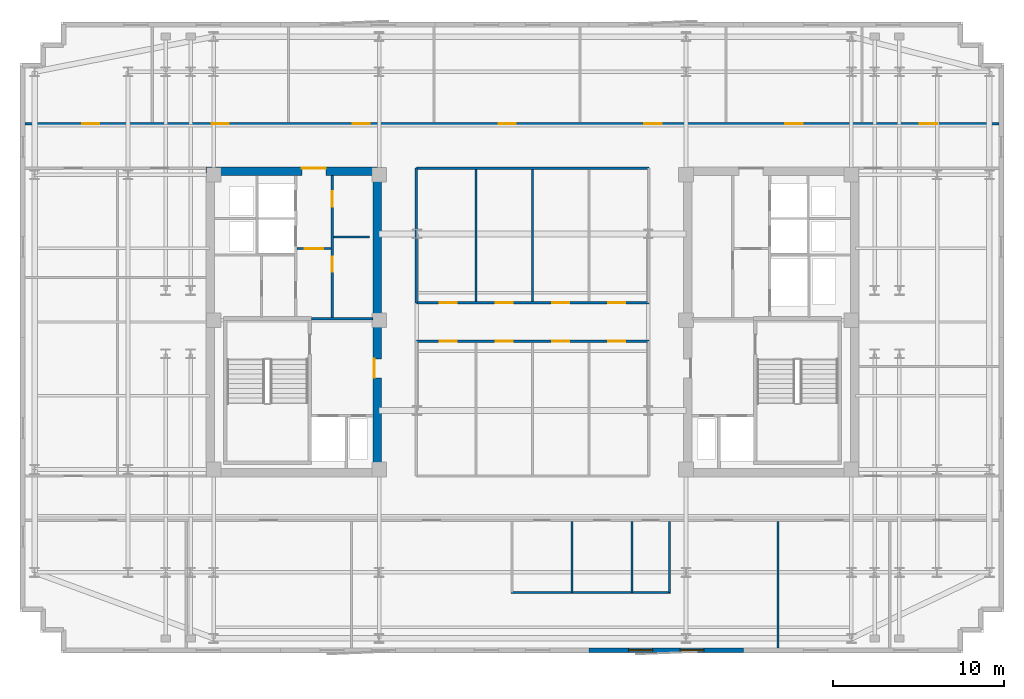
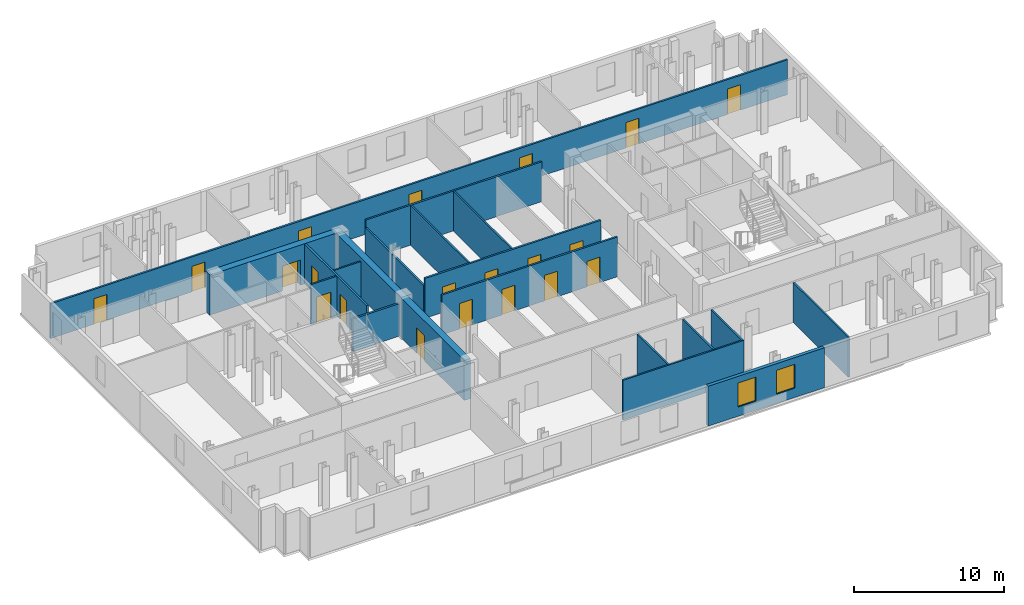
# One storey, part 5 of 9: 20 doors, 19 walls, 2 windows, 22 openings.
"""IFC4 building model written with IfcOpenShell, lengths in metres."""

from ifc_helpers import new_model, si_unit, direction, frame, frame_2d, origin, place, context, subcontext, project, spatial, rectangle, extrude, material, layer, layer_set, type_object, element, fill, save


model = new_model("IFC4")

# Units and contexts
model_context = context("Model", 3, precision=1e-05, world=origin(), true_north=direction((0.0, 1.0)))
body_context = subcontext(model_context, "Body", "Model", "MODEL_VIEW")
ifc_project = project(units=[si_unit("LENGTHUNIT", "METRE"), si_unit("AREAUNIT", "SQUARE_METRE"), si_unit("VOLUMEUNIT", "CUBIC_METRE"), si_unit("PLANEANGLEUNIT", "RADIAN"), si_unit("MASSUNIT", "GRAM", prefix="KILO")], contexts=[model_context])

# Site, building, storey
site_placement = place(None, origin())
site = spatial("IfcSite", under=ifc_project, at=site_placement, CompositionType="ELEMENT")
building_placement = place(site_placement, origin())
building = spatial("IfcBuilding", under=site, at=building_placement, Name="Velakula Bourse", CompositionType="ELEMENT")
storey_placement = place(building_placement, frame((0.0, 0.0, 236.10009765625)))
storey = spatial("IfcBuildingStorey", under=building, at=storey_placement, Name="L64", CompositionType="ELEMENT", Elevation=236.10009765625)

# Wall, opening, door
ifc_material_1 = material(Name="Concrete M50 (fck 50 MPa)", Category="concrete")
ifc_layer_1 = layer(ifc_material_1, 0.5, Name="Concrete M50 (fck 50 MPa)", Category="concrete")
ifc_layer_set_1 = layer_set([ifc_layer_1], Name="Concrete M50 (fck 50 MPa)")
wall_type_1 = type_object("IfcWallType", Name="WL-CORE-500", PredefinedType="SHEAR", material=ifc_layer_set_1)
wall_1_placement = place(storey_placement, frame((-19.050048828125, 8.800048828125, 0.0), z_axis=(0.0, 0.0, 1.0), x_axis=(1.0, 0.0, 0.0)))
wall_1 = element("IfcWall", 1, at=wall_1_placement, inside=storey, type_object=wall_type_1, Name="L64 Core W Shear Wall N", PredefinedType="SHEAR", context=body_context, shape_type="SweptSolid", body=[
    extrude(rectangle(XDim=10.25, YDim=0.5, at=frame_2d((5.125, 0.0))), origin(), (0.0, 0.0, 1.0), 3.27001953125),
])
opening_1_placement = place(wall_1_placement, frame((5.60009765625, 0.0, 0.0)))
opening_1 = element("IfcOpeningElement", 2, at=opening_1_placement, cuts=wall_1, Name="Opening D-LLW", PredefinedType="OPENING", context=body_context, shape_type="SweptSolid", body=[
    extrude(rectangle(XDim=1.39990234375, YDim=2.050048828125, at=frame_2d((0.699951171875, 1.02490234375))), frame((0.0, 0.260009765625, 0.0), z_axis=(0.0, -1.0, 0.0), x_axis=(1.0, 0.0, 0.0)), (0.0, 0.0, 1.0), 0.52001953125),
])
ifc_material_2 = material(Name="Fire-rated hardwood flush architectural door", Category="wood")
door_type_1 = type_object("IfcDoorType", Name="DR-DBL-FD60-1400", OperationType="DOUBLE_DOOR_SINGLE_SWING", PredefinedType="DOOR", material=ifc_material_2)
door_1_placement = place(opening_1_placement, origin())
door_1 = element("IfcDoor", 3, at=door_1_placement, inside=storey, type_object=door_type_1, Name="L64 Core W Lift Lobby Corridor Double Door", OperationType="DOUBLE_DOOR_SINGLE_SWING", OverallHeight=2.050048828125, OverallWidth=1.39990234375, PredefinedType="DOOR", context=body_context, shape_type="SweptSolid", body=[
    extrude(rectangle(XDim=1.39990234375, YDim=2.050048828125, at=frame_2d((0.699951171875, 1.02490234375))), frame((0.0, 0.19482421875, 0.0), z_axis=(0.0, -1.0, 0.0), x_axis=(1.0, 0.0, 0.0)), (0.0, 0.0, 1.0), 0.050048828125),
])
fill(opening_1, door_1)

wall_2_placement = place(storey_placement, frame((-9.050048828125, -8.550048828125, 0.0), z_axis=(0.0, 0.0, 1.0), x_axis=(0.0, 1.0, 0.0)))
wall_2 = element("IfcWall", 4, at=wall_2_placement, inside=storey, type_object=wall_type_1, Name="L64 Core W Shear Wall E", PredefinedType="SHEAR", context=body_context, shape_type="SweptSolid", body=[
    extrude(rectangle(XDim=17.10009765625, YDim=0.5, at=frame_2d((8.550048828125, 0.0))), origin(), (0.0, 0.0, 1.0), 3.27001953125),
])
opening_2_placement = place(wall_2_placement, frame((5.300048828125, 0.0, 0.0)))
opening_2 = element("IfcOpeningElement", 5, at=opening_2_placement, cuts=wall_2, Name="Opening D-FLW", PredefinedType="OPENING", context=body_context, shape_type="SweptSolid", body=[
    extrude(rectangle(XDim=1.10009765625, YDim=2.080078125, at=frame_2d((0.550048828125, 1.0400390625))), frame((0.0, 0.260009765625, 0.0), z_axis=(0.0, -1.0, 0.0), x_axis=(1.0, 0.0, 0.0)), (0.0, 0.0, 1.0), 0.52001953125),
])
ifc_material_3 = material(Name="Galvanised painted hollow steel fire door", Category="steel")
door_type_2 = type_object("IfcDoorType", Name="DR-FD120-1100", OperationType="NOTDEFINED", PredefinedType="DOOR", material=ifc_material_3)
door_2_placement = place(opening_2_placement, origin())
door_2 = element("IfcDoor", 6, at=door_2_placement, inside=storey, type_object=door_type_2, Name="L64 Firefighting Lobby W Corridor Fire Door", OperationType="SINGLE_SWING_LEFT", OverallHeight=2.080078125, OverallWidth=1.10009765625, PredefinedType="DOOR", context=body_context, shape_type="SweptSolid", body=[
    extrude(rectangle(XDim=1.10009765625, YDim=2.080078125, at=frame_2d((0.550048828125, 1.0400390625))), frame((0.0, 0.205078125, 0.0), z_axis=(0.0, -1.0, 0.0), x_axis=(1.0, 0.0, 0.0)), (0.0, 0.0, 1.0), 0.050048828125),
])
fill(opening_2, door_2)

# Wall, openings, windows
ifc_material_4 = material(Name="Buff kilned clay facing brick masonry", Category="masonry")
ifc_layer_2 = layer(ifc_material_4, 0.260009765625, Name="Buff kilned clay facing brick masonry", Category="masonry")
ifc_layer_set_2 = layer_set([ifc_layer_2], Name="Buff kilned clay facing brick masonry")
wall_type_2 = type_object("IfcWallType", Name="WL-EXT-BRK-260", PredefinedType="STANDARD", material=ifc_layer_set_2)
wall_3_placement = place(storey_placement, frame((12.300048828125, -19.14990234375, 0.0), z_axis=(0.0, 0.0, 1.0), x_axis=(-1.0, 0.0, 0.0)))
wall_3 = element("IfcWall", 7, at=wall_3_placement, inside=storey, type_object=wall_type_2, Name="L64 S Brick Spandrel Wall B4", PredefinedType="STANDARD", context=body_context, shape_type="SweptSolid", body=[
    extrude(rectangle(XDim=9.0, YDim=0.260009765625, at=frame_2d((4.5, 0.0))), origin(), (0.0, 0.0, 1.0), 3.25),
])
opening_3_placement = place(wall_3_placement, frame((2.300048828125, 0.0, 0.760009765625)))
opening_3 = element("IfcOpeningElement", 8, at=opening_3_placement, cuts=wall_3, Name="Opening W-03", PredefinedType="OPENING", context=body_context, shape_type="SweptSolid", body=[
    extrude(rectangle(XDim=1.39990234375, YDim=1.949951171875, at=frame_2d((0.699951171875, 0.97509765625))), frame((0.0, 0.139892578125, 0.0), z_axis=(0.0, -1.0, 0.0), x_axis=(1.0, 0.0, 0.0)), (0.0, 0.0, 1.0), 0.280029296875),
])
opening_4_placement = place(wall_3_placement, frame((5.300048828125, 0.0, 0.760009765625)))
opening_4 = element("IfcOpeningElement", 9, at=opening_4_placement, cuts=wall_3, Name="Opening W-03", PredefinedType="OPENING", context=body_context, shape_type="SweptSolid", body=[
    extrude(rectangle(XDim=1.39990234375, YDim=1.949951171875, at=frame_2d((0.699951171875, 0.97509765625))), frame((0.0, 0.139892578125, 0.0), z_axis=(0.0, -1.0, 0.0), x_axis=(1.0, 0.0, 0.0)), (0.0, 0.0, 1.0), 0.280029296875),
])
ifc_material_5 = material(Name="Double-glazed solar-control Low-E glass", Category="glass")
window_type = type_object("IfcWindowType", Name="WIN-TWR-1400x2100", PartitioningType="SINGLE_PANEL", PredefinedType="WINDOW", material=ifc_material_5)
window_1_placement = place(opening_3_placement, origin())
window_1 = element("IfcWindow", 10, at=window_1_placement, inside=storey, type_object=window_type, Name="L64 Deep-Set Recessed Window 1", OverallHeight=1.949951171875, OverallWidth=1.39990234375, PartitioningType="SINGLE_PANEL", PredefinedType="WINDOW", context=body_context, shape_type="SweptSolid", body=[
    extrude(rectangle(XDim=1.39990234375, YDim=1.949951171875, at=frame_2d((0.699951171875, 0.97509765625))), frame((0.0, 0.030029296875, 0.0), z_axis=(0.0, -1.0, 0.0), x_axis=(1.0, 0.0, 0.0)), (0.0, 0.0, 1.0), 0.06005859375),
])
fill(opening_3, window_1)
window_2_placement = place(opening_4_placement, origin())
window_2 = element("IfcWindow", 11, at=window_2_placement, inside=storey, type_object=window_type, Name="L64 Deep-Set Recessed Window 2", OverallHeight=1.949951171875, OverallWidth=1.39990234375, PartitioningType="SINGLE_PANEL", PredefinedType="WINDOW", context=body_context, shape_type="SweptSolid", body=[
    extrude(rectangle(XDim=1.39990234375, YDim=1.949951171875, at=frame_2d((0.699951171875, 0.97509765625))), frame((0.0, 0.030029296875, 0.0), z_axis=(0.0, -1.0, 0.0), x_axis=(1.0, 0.0, 0.0)), (0.0, 0.0, 1.0), 0.06005859375),
])
fill(opening_4, window_2)

# Wall, opening, door
ifc_material_6 = material(Name="Fire-rated double-layer gypsum drywall partition", Category="gypsum")
ifc_layer_3 = layer(ifc_material_6, 0.1201171875, Name="Fire-rated double-layer gypsum drywall partition", Category="gypsum")
ifc_layer_set_3 = layer_set([ifc_layer_3], Name="Fire-rated double-layer gypsum drywall partition")
wall_type_3 = type_object("IfcWallType", Name="WL-PART-120", PredefinedType="STANDARD", material=ifc_layer_set_3)
wall_4_placement = place(storey_placement, frame((-13.75, 4.280029296875, 0.0), z_axis=(0.0, 0.0, 1.0), x_axis=(1.0, 0.0, 0.0)))
wall_4 = element("IfcWall", 12, at=wall_4_placement, inside=storey, type_object=wall_type_3, Name="L64 Interior Partition WL-CRW-L64-LL-K2", PredefinedType="STANDARD", context=body_context, shape_type="SweptSolid", body=[
    extrude(rectangle(XDim=2.0, YDim=0.1201171875, at=frame_2d((1.0, 0.0))), origin(), (0.0, 0.0, 1.0), 3.25),
])
opening_5_placement = place(wall_4_placement, frame((0.449951171875, 0.0, 0.0)))
opening_5 = element("IfcOpeningElement", 13, at=opening_5_placement, cuts=wall_4, Name="Opening D-LK2", PredefinedType="OPENING", context=body_context, shape_type="SweptSolid", body=[
    extrude(rectangle(XDim=1.10009765625, YDim=2.10009765625, at=frame_2d((0.550048828125, 1.050048828125))), frame((0.0, 0.070068359375, 0.0), z_axis=(0.0, -1.0, 0.0), x_axis=(1.0, 0.0, 0.0)), (0.0, 0.0, 1.0), 0.14013671875),
])
door_type_3 = type_object("IfcDoorType", Name="DR-FD60-1100x2100", OperationType="NOTDEFINED", PredefinedType="DOOR", material=ifc_material_2)
door_3_placement = place(opening_5_placement, origin())
door_3 = element("IfcDoor", 14, at=door_3_placement, inside=storey, type_object=door_type_3, Name="L64 Core W Lift Lobby Zone Door", OperationType="SINGLE_SWING_RIGHT", OverallHeight=2.10009765625, OverallWidth=1.10009765625, PredefinedType="DOOR", context=body_context, shape_type="SweptSolid", body=[
    extrude(rectangle(XDim=1.10009765625, YDim=2.10009765625, at=frame_2d((0.550048828125, 1.050048828125))), frame((0.0, 0.02490234375, 0.0), z_axis=(0.0, -1.0, 0.0), x_axis=(1.0, 0.0, 0.0)), (0.0, 0.0, 1.0), 0.050048828125),
])
fill(opening_5, door_3)

# Walls
wall_5_placement = place(storey_placement, frame((-11.60009765625, 4.949951171875, 0.0), z_axis=(0.0, 0.0, 1.0), x_axis=(1.0, 0.0, 0.0)))
element("IfcWall", 15, at=wall_5_placement, inside=storey, type_object=wall_type_3, Name="L64 Interior Partition WL-CRW-L64-RCDIV", PredefinedType="STANDARD", context=body_context, shape_type="SweptSolid", body=[
    extrude(rectangle(XDim=2.10009765625, YDim=0.1201171875, at=frame_2d((1.050048828125, 0.0))), origin(), (0.0, 0.0, 1.0), 3.25),
])
wall_6_placement = place(storey_placement, frame((-1.260009765625, -15.77001953125, 0.0), z_axis=(0.0, 0.0, 1.0), x_axis=(1.0, 0.0, 0.0)))
element("IfcWall", 16, at=wall_6_placement, inside=storey, type_object=wall_type_3, Name="L64 Interior Partition WL-WC-L64-BACK", PredefinedType="STANDARD", context=body_context, shape_type="SweptSolid", body=[
    extrude(rectangle(XDim=9.320068359375, YDim=0.1201171875, at=frame_2d((4.66015625, 0.0))), origin(), (0.0, 0.0, 1.0), 3.25),
])
for number, where, z_axis, x_axis, name in (
    (17, (2.300048828125, -15.77001953125, 0.0), (0.0, 0.0, 1.0), (0.0, 1.0, 0.0), "L64 Interior Partition WL-WC-L64-V2"),
    (18, (5.800048828125, -15.77001953125, 0.0), (0.0, 0.0, 1.0), (0.0, 1.0, 0.0), "L64 Interior Partition WL-WC-L64-V3"),
    (19, (8.0, -15.77001953125, 0.0), (0.0, 0.0, 1.0), (0.0, 1.0, 0.0), "L64 Interior Partition WL-WC-L64-V4"),
):
    element("IfcWall", number, at=place(storey_placement, frame(where, z_axis=z_axis, x_axis=x_axis)), inside=storey, type_object=wall_type_3, Name=name, PredefinedType="STANDARD", context=body_context, shape_type="SweptSolid", body=[
        extrude(rectangle(XDim=4.130126953125, YDim=0.1201171875, at=frame_2d((2.06494140625, 0.0))), origin(), (0.0, 0.0, 1.0), 3.25),
    ])
wall_7_placement = place(storey_placement, frame((14.322998046875, -19.02001953125, 0.0), z_axis=(0.0, 0.0, 1.0), x_axis=(0.0, 1.0, 0.0)))
element("IfcWall", 20, at=wall_7_placement, inside=storey, type_object=wall_type_3, Name="L64 Interior Partition WL-INT-L64-SR-D7", PredefinedType="STANDARD", context=body_context, shape_type="SweptSolid", body=[
    extrude(rectangle(XDim=7.380126953125, YDim=0.1201171875, at=frame_2d((3.68994140625, 0.0))), origin(), (0.0, 0.0, 1.0), 3.25),
])

# Wall, openings, doors
ifc_layer_4 = layer(ifc_material_6, 0.139892578125, Name="Fire-rated double-layer gypsum drywall partition", Category="gypsum")
ifc_layer_set_4 = layer_set([ifc_layer_4], Name="Fire-rated double-layer gypsum drywall partition")
wall_type_4 = type_object("IfcWallType", Name="WL-PART-140", PredefinedType="STANDARD", material=ifc_layer_set_4)
wall_8_placement = place(storey_placement, frame((-29.6201171875, 11.570068359375, 0.0), z_axis=(0.0, 0.0, 1.0), x_axis=(1.0, 0.0, 0.0)))
wall_8 = element("IfcWall", 21, at=wall_8_placement, inside=storey, type_object=wall_type_4, Name="L64 Interior Partition WL-INT-L64-N-CORR", PredefinedType="STANDARD", context=body_context, shape_type="SweptSolid", body=[
    extrude(rectangle(XDim=56.840087890625, YDim=0.139892578125, at=frame_2d((28.419921875, 0.0))), origin(), (0.0, 0.0, 1.0), 2.844970703125),
])
opening_6_placement = place(wall_8_placement, frame((3.343017578125, 0.0, 0.0)))
opening_6 = element("IfcOpeningElement", 22, at=opening_6_placement, cuts=wall_8, Name="Opening D-OF1", PredefinedType="OPENING", context=body_context, shape_type="SweptSolid", body=[
    extrude(rectangle(XDim=1.0, YDim=2.080078125, at=frame_2d((0.5, 1.0400390625))), frame((0.0, 0.079833984375, 0.0), z_axis=(0.0, -1.0, 0.0), x_axis=(1.0, 0.0, 0.0)), (0.0, 0.0, 1.0), 0.159912109375),
])
opening_7_placement = place(wall_8_placement, frame((10.904052734375, 0.0, 0.0)))
opening_7 = element("IfcOpeningElement", 23, at=opening_7_placement, cuts=wall_8, Name="Opening D-OF1", PredefinedType="OPENING", context=body_context, shape_type="SweptSolid", body=[
    extrude(rectangle(XDim=1.0, YDim=2.080078125, at=frame_2d((0.5, 1.0400390625))), frame((0.0, 0.079833984375, 0.0), z_axis=(0.0, -1.0, 0.0), x_axis=(1.0, 0.0, 0.0)), (0.0, 0.0, 1.0), 0.159912109375),
])
opening_8_placement = place(wall_8_placement, frame((19.1279296875, 0.0, 0.0)))
opening_8 = element("IfcOpeningElement", 24, at=opening_8_placement, cuts=wall_8, Name="Opening D-OF1", PredefinedType="OPENING", context=body_context, shape_type="SweptSolid", body=[
    extrude(rectangle(XDim=1.0, YDim=2.080078125, at=frame_2d((0.5, 1.0400390625))), frame((0.0, 0.079833984375, 0.0), z_axis=(0.0, -1.0, 0.0), x_axis=(1.0, 0.0, 0.0)), (0.0, 0.0, 1.0), 0.159912109375),
])
opening_9_placement = place(wall_8_placement, frame((27.635986328125, 0.0, 0.0)))
opening_9 = element("IfcOpeningElement", 25, at=opening_9_placement, cuts=wall_8, Name="Opening D-OF1", PredefinedType="OPENING", context=body_context, shape_type="SweptSolid", body=[
    extrude(rectangle(XDim=1.0, YDim=2.080078125, at=frame_2d((0.5, 1.0400390625))), frame((0.0, 0.079833984375, 0.0), z_axis=(0.0, -1.0, 0.0), x_axis=(1.0, 0.0, 0.0)), (0.0, 0.0, 1.0), 0.159912109375),
])
opening_10_placement = place(wall_8_placement, frame((36.14404296875, 0.0, 0.0)))
opening_10 = element("IfcOpeningElement", 26, at=opening_10_placement, cuts=wall_8, Name="Opening D-OF1", PredefinedType="OPENING", context=body_context, shape_type="SweptSolid", body=[
    extrude(rectangle(XDim=1.0, YDim=2.080078125, at=frame_2d((0.5, 1.0400390625))), frame((0.0, 0.079833984375, 0.0), z_axis=(0.0, -1.0, 0.0), x_axis=(1.0, 0.0, 0.0)), (0.0, 0.0, 1.0), 0.159912109375),
])
opening_11_placement = place(wall_8_placement, frame((44.368408203125, 0.0, 0.0)))
opening_11 = element("IfcOpeningElement", 27, at=opening_11_placement, cuts=wall_8, Name="Opening D-OF1", PredefinedType="OPENING", context=body_context, shape_type="SweptSolid", body=[
    extrude(rectangle(XDim=1.0, YDim=2.080078125, at=frame_2d((0.5, 1.0400390625))), frame((0.0, 0.079833984375, 0.0), z_axis=(0.0, -1.0, 0.0), x_axis=(1.0, 0.0, 0.0)), (0.0, 0.0, 1.0), 0.159912109375),
])
opening_12_placement = place(wall_8_placement, frame((52.21337890625, 0.0, 0.0)))
opening_12 = element("IfcOpeningElement", 28, at=opening_12_placement, cuts=wall_8, Name="Opening D-OF1", PredefinedType="OPENING", context=body_context, shape_type="SweptSolid", body=[
    extrude(rectangle(XDim=1.0, YDim=2.080078125, at=frame_2d((0.5, 1.0400390625))), frame((0.0, 0.079833984375, 0.0), z_axis=(0.0, -1.0, 0.0), x_axis=(1.0, 0.0, 0.0)), (0.0, 0.0, 1.0), 0.159912109375),
])
door_type_4 = type_object("IfcDoorType", Name="DR-OFF-1000", OperationType="NOTDEFINED", PredefinedType="DOOR", material=ifc_material_2)
door_4_placement = place(opening_6_placement, origin())
door_4 = element("IfcDoor", 29, at=door_4_placement, inside=storey, type_object=door_type_4, Name="L64 Market Data Feed Workspace Door", OperationType="SINGLE_SWING_LEFT", OverallHeight=2.080078125, OverallWidth=1.0, PredefinedType="DOOR", context=body_context, shape_type="SweptSolid", body=[
    extrude(rectangle(XDim=1.0, YDim=2.080078125, at=frame_2d((0.5, 1.0400390625))), frame((0.0, 0.02490234375, 0.0), z_axis=(0.0, -1.0, 0.0), x_axis=(1.0, 0.0, 0.0)), (0.0, 0.0, 1.0), 0.050048828125),
])
fill(opening_6, door_4)
door_5_placement = place(opening_7_placement, origin())
door_5 = element("IfcDoor", 30, at=door_5_placement, inside=storey, type_object=door_type_4, Name="L64 Executive Boardroom Door", OperationType="SINGLE_SWING_RIGHT", OverallHeight=2.080078125, OverallWidth=1.0, PredefinedType="DOOR", context=body_context, shape_type="SweptSolid", body=[
    extrude(rectangle(XDim=1.0, YDim=2.080078125, at=frame_2d((0.5, 1.0400390625))), frame((0.0, 0.02490234375, 0.0), z_axis=(0.0, -1.0, 0.0), x_axis=(1.0, 0.0, 0.0)), (0.0, 0.0, 1.0), 0.050048828125),
])
fill(opening_7, door_5)
door_6_placement = place(opening_8_placement, origin())
door_6 = element("IfcDoor", 31, at=door_6_placement, inside=storey, type_object=door_type_4, Name="L64 Catering Servery Pantry Door", OperationType="SINGLE_SWING_LEFT", OverallHeight=2.080078125, OverallWidth=1.0, PredefinedType="DOOR", context=body_context, shape_type="SweptSolid", body=[
    extrude(rectangle(XDim=1.0, YDim=2.080078125, at=frame_2d((0.5, 1.0400390625))), frame((0.0, 0.02490234375, 0.0), z_axis=(0.0, -1.0, 0.0), x_axis=(1.0, 0.0, 0.0)), (0.0, 0.0, 1.0), 0.050048828125),
])
fill(opening_8, door_6)
door_7_placement = place(opening_9_placement, origin())
door_7 = element("IfcDoor", 32, at=door_7_placement, inside=storey, type_object=door_type_4, Name="L64 Members Dining Lounge Door", OperationType="SINGLE_SWING_RIGHT", OverallHeight=2.080078125, OverallWidth=1.0, PredefinedType="DOOR", context=body_context, shape_type="SweptSolid", body=[
    extrude(rectangle(XDim=1.0, YDim=2.080078125, at=frame_2d((0.5, 1.0400390625))), frame((0.0, 0.02490234375, 0.0), z_axis=(0.0, -1.0, 0.0), x_axis=(1.0, 0.0, 0.0)), (0.0, 0.0, 1.0), 0.050048828125),
])
fill(opening_9, door_7)
door_8_placement = place(opening_10_placement, origin())
door_8 = element("IfcDoor", 33, at=door_8_placement, inside=storey, type_object=door_type_4, Name="L64 Bullion Assay Office Door", OperationType="SINGLE_SWING_LEFT", OverallHeight=2.080078125, OverallWidth=1.0, PredefinedType="DOOR", context=body_context, shape_type="SweptSolid", body=[
    extrude(rectangle(XDim=1.0, YDim=2.080078125, at=frame_2d((0.5, 1.0400390625))), frame((0.0, 0.02490234375, 0.0), z_axis=(0.0, -1.0, 0.0), x_axis=(1.0, 0.0, 0.0)), (0.0, 0.0, 1.0), 0.050048828125),
])
fill(opening_10, door_8)
door_9_placement = place(opening_11_placement, origin())
door_9 = element("IfcDoor", 34, at=door_9_placement, inside=storey, type_object=door_type_4, Name="L64 Market Data Feed Workspace Door", OperationType="SINGLE_SWING_RIGHT", OverallHeight=2.080078125, OverallWidth=1.0, PredefinedType="DOOR", context=body_context, shape_type="SweptSolid", body=[
    extrude(rectangle(XDim=1.0, YDim=2.080078125, at=frame_2d((0.5, 1.0400390625))), frame((0.0, 0.02490234375, 0.0), z_axis=(0.0, -1.0, 0.0), x_axis=(1.0, 0.0, 0.0)), (0.0, 0.0, 1.0), 0.050048828125),
])
fill(opening_11, door_9)
door_10_placement = place(opening_12_placement, origin())
door_10 = element("IfcDoor", 35, at=door_10_placement, inside=storey, type_object=door_type_4, Name="L64 Asset Allocation Office Door", OperationType="SINGLE_SWING_LEFT", OverallHeight=2.080078125, OverallWidth=1.0, PredefinedType="DOOR", context=body_context, shape_type="SweptSolid", body=[
    extrude(rectangle(XDim=1.0, YDim=2.080078125, at=frame_2d((0.5, 1.0400390625))), frame((0.0, 0.02490234375, 0.0), z_axis=(0.0, -1.0, 0.0), x_axis=(1.0, 0.0, 0.0)), (0.0, 0.0, 1.0), 0.050048828125),
])
fill(opening_12, door_10)

wall_9_placement = place(storey_placement, frame((-6.780029296875, 1.1201171875, 0.0), z_axis=(0.0, 0.0, 1.0), x_axis=(1.0, 0.0, 0.0)))
wall_9 = element("IfcWall", 36, at=wall_9_placement, inside=storey, type_object=wall_type_4, Name="L64 Interior Partition WL-INT-L64-MN-IN", PredefinedType="STANDARD", context=body_context, shape_type="SweptSolid", body=[
    extrude(rectangle(XDim=13.56005859375, YDim=0.139892578125, at=frame_2d((6.780029296875, 0.0))), origin(), (0.0, 0.0, 1.0), 3.25),
])
opening_13_placement = place(wall_9_placement, frame((1.365966796875, 0.0, 0.0)))
opening_13 = element("IfcOpeningElement", 37, at=opening_13_placement, cuts=wall_9, Name="Opening D-OF1", PredefinedType="OPENING", context=body_context, shape_type="SweptSolid", body=[
    extrude(rectangle(XDim=1.0, YDim=2.080078125, at=frame_2d((0.5, 1.0400390625))), frame((0.0, 0.079833984375, 0.0), z_axis=(0.0, -1.0, 0.0), x_axis=(1.0, 0.0, 0.0)), (0.0, 0.0, 1.0), 0.159912109375),
])
opening_14_placement = place(wall_9_placement, frame((4.6298828125, 0.0, 0.0)))
opening_14 = element("IfcOpeningElement", 38, at=opening_14_placement, cuts=wall_9, Name="Opening D-OF1", PredefinedType="OPENING", context=body_context, shape_type="SweptSolid", body=[
    extrude(rectangle(XDim=1.0, YDim=2.080078125, at=frame_2d((0.5, 1.0400390625))), frame((0.0, 0.079833984375, 0.0), z_axis=(0.0, -1.0, 0.0), x_axis=(1.0, 0.0, 0.0)), (0.0, 0.0, 1.0), 0.159912109375),
])
opening_15_placement = place(wall_9_placement, frame((7.929931640625, 0.0, 0.0)))
opening_15 = element("IfcOpeningElement", 39, at=opening_15_placement, cuts=wall_9, Name="Opening D-OF1", PredefinedType="OPENING", context=body_context, shape_type="SweptSolid", body=[
    extrude(rectangle(XDim=1.0, YDim=2.080078125, at=frame_2d((0.5, 1.0400390625))), frame((0.0, 0.079833984375, 0.0), z_axis=(0.0, -1.0, 0.0), x_axis=(1.0, 0.0, 0.0)), (0.0, 0.0, 1.0), 0.159912109375),
])
opening_16_placement = place(wall_9_placement, frame((11.194091796875, 0.0, 0.0)))
opening_16 = element("IfcOpeningElement", 40, at=opening_16_placement, cuts=wall_9, Name="Opening D-OF1", PredefinedType="OPENING", context=body_context, shape_type="SweptSolid", body=[
    extrude(rectangle(XDim=1.0, YDim=2.080078125, at=frame_2d((0.5, 1.0400390625))), frame((0.0, 0.079833984375, 0.0), z_axis=(0.0, -1.0, 0.0), x_axis=(1.0, 0.0, 0.0)), (0.0, 0.0, 1.0), 0.159912109375),
])
door_11_placement = place(opening_13_placement, origin())
door_11 = element("IfcDoor", 41, at=door_11_placement, inside=storey, type_object=door_type_4, Name="L64 Treasury Operations Office Door", OperationType="SINGLE_SWING_LEFT", OverallHeight=2.080078125, OverallWidth=1.0, PredefinedType="DOOR", context=body_context, shape_type="SweptSolid", body=[
    extrude(rectangle(XDim=1.0, YDim=2.080078125, at=frame_2d((0.5, 1.0400390625))), frame((0.0, 0.02490234375, 0.0), z_axis=(0.0, -1.0, 0.0), x_axis=(1.0, 0.0, 0.0)), (0.0, 0.0, 1.0), 0.050048828125),
])
fill(opening_13, door_11)
door_12_placement = place(opening_14_placement, origin())
door_12 = element("IfcDoor", 42, at=door_12_placement, inside=storey, type_object=door_type_4, Name="L64 Bullion Assay Office Door", OperationType="SINGLE_SWING_RIGHT", OverallHeight=2.080078125, OverallWidth=1.0, PredefinedType="DOOR", context=body_context, shape_type="SweptSolid", body=[
    extrude(rectangle(XDim=1.0, YDim=2.080078125, at=frame_2d((0.5, 1.0400390625))), frame((0.0, 0.02490234375, 0.0), z_axis=(0.0, -1.0, 0.0), x_axis=(1.0, 0.0, 0.0)), (0.0, 0.0, 1.0), 0.050048828125),
])
fill(opening_14, door_12)
door_13_placement = place(opening_15_placement, origin())
door_13 = element("IfcDoor", 43, at=door_13_placement, inside=storey, type_object=door_type_4, Name="L64 Legal Counsel Office Door", OperationType="SINGLE_SWING_LEFT", OverallHeight=2.080078125, OverallWidth=1.0, PredefinedType="DOOR", context=body_context, shape_type="SweptSolid", body=[
    extrude(rectangle(XDim=1.0, YDim=2.080078125, at=frame_2d((0.5, 1.0400390625))), frame((0.0, 0.02490234375, 0.0), z_axis=(0.0, -1.0, 0.0), x_axis=(1.0, 0.0, 0.0)), (0.0, 0.0, 1.0), 0.050048828125),
])
fill(opening_15, door_13)
door_14_placement = place(opening_16_placement, origin())
door_14 = element("IfcDoor", 44, at=door_14_placement, inside=storey, type_object=door_type_4, Name="L64 Issuer Relations Office Door", OperationType="SINGLE_SWING_RIGHT", OverallHeight=2.080078125, OverallWidth=1.0, PredefinedType="DOOR", context=body_context, shape_type="SweptSolid", body=[
    extrude(rectangle(XDim=1.0, YDim=2.080078125, at=frame_2d((0.5, 1.0400390625))), frame((0.0, 0.02490234375, 0.0), z_axis=(0.0, -1.0, 0.0), x_axis=(1.0, 0.0, 0.0)), (0.0, 0.0, 1.0), 0.050048828125),
])
fill(opening_16, door_14)

# Walls
wall_10_placement = place(storey_placement, frame((-6.780029296875, 8.97998046875, 0.0), z_axis=(0.0, 0.0, 1.0), x_axis=(1.0, 0.0, 0.0)))
element("IfcWall", 45, at=wall_10_placement, inside=storey, type_object=wall_type_4, Name="L64 Interior Partition WL-INT-L64-MN-OUT", PredefinedType="STANDARD", context=body_context, shape_type="SweptSolid", body=[
    extrude(rectangle(XDim=13.56005859375, YDim=0.139892578125, at=frame_2d((6.780029296875, 0.0))), origin(), (0.0, 0.0, 1.0), 3.25),
])
wall_11_placement = place(storey_placement, frame((-6.780029296875, 1.1201171875, 0.0), z_axis=(0.0, 0.0, 1.0), x_axis=(0.0, 1.0, 0.0)))
element("IfcWall", 46, at=wall_11_placement, inside=storey, type_object=wall_type_4, Name="L64 Interior Partition WL-INT-L64-MN-W", PredefinedType="STANDARD", context=body_context, shape_type="SweptSolid", body=[
    extrude(rectangle(XDim=7.85986328125, YDim=0.139892578125, at=frame_2d((3.929931640625, 0.0))), origin(), (0.0, 0.0, 1.0), 2.64501953125),
])
for number, where, z_axis, x_axis, name in (
    (47, (-3.300048828125, 1.18994140625, 0.0), (0.0, 0.0, 1.0), (0.0, 1.0, 0.0), "L64 Interior Partition WL-INT-L64-MN-V1"),
    (48, (0.0, 1.18994140625, 0.0), (0.0, 0.0, 1.0), (0.0, 1.0, 0.0), "L64 Interior Partition WL-INT-L64-MN-V2"),
):
    element("IfcWall", number, at=place(storey_placement, frame(where, z_axis=z_axis, x_axis=x_axis)), inside=storey, type_object=wall_type_4, Name=name, PredefinedType="STANDARD", context=body_context, shape_type="SweptSolid", body=[
        extrude(rectangle(XDim=7.719970703125, YDim=0.1201171875, at=frame_2d((3.85986328125, 0.0))), origin(), (0.0, 0.0, 1.0), 3.25),
    ])

# Wall, openings, doors
wall_12_placement = place(storey_placement, frame((-6.780029296875, -1.1201171875, 0.0), z_axis=(0.0, 0.0, 1.0), x_axis=(1.0, 0.0, 0.0)))
wall_12 = element("IfcWall", 49, at=wall_12_placement, inside=storey, type_object=wall_type_4, Name="L64 Interior Partition WL-INT-L64-MS-IN", PredefinedType="STANDARD", context=body_context, shape_type="SweptSolid", body=[
    extrude(rectangle(XDim=13.56005859375, YDim=0.139892578125, at=frame_2d((6.780029296875, 0.0))), origin(), (0.0, 0.0, 1.0), 3.25),
])
opening_17_placement = place(wall_12_placement, frame((1.365966796875, 0.0, 0.0)))
opening_17 = element("IfcOpeningElement", 50, at=opening_17_placement, cuts=wall_12, Name="Opening D-OF1", PredefinedType="OPENING", context=body_context, shape_type="SweptSolid", body=[
    extrude(rectangle(XDim=1.0, YDim=2.080078125, at=frame_2d((0.5, 1.0400390625))), frame((0.0, 0.079833984375, 0.0), z_axis=(0.0, -1.0, 0.0), x_axis=(1.0, 0.0, 0.0)), (0.0, 0.0, 1.0), 0.159912109375),
])
opening_18_placement = place(wall_12_placement, frame((4.6298828125, 0.0, 0.0)))
opening_18 = element("IfcOpeningElement", 51, at=opening_18_placement, cuts=wall_12, Name="Opening D-OF1", PredefinedType="OPENING", context=body_context, shape_type="SweptSolid", body=[
    extrude(rectangle(XDim=1.0, YDim=2.080078125, at=frame_2d((0.5, 1.0400390625))), frame((0.0, 0.079833984375, 0.0), z_axis=(0.0, -1.0, 0.0), x_axis=(1.0, 0.0, 0.0)), (0.0, 0.0, 1.0), 0.159912109375),
])
opening_19_placement = place(wall_12_placement, frame((7.929931640625, 0.0, 0.0)))
opening_19 = element("IfcOpeningElement", 52, at=opening_19_placement, cuts=wall_12, Name="Opening D-OF1", PredefinedType="OPENING", context=body_context, shape_type="SweptSolid", body=[
    extrude(rectangle(XDim=1.0, YDim=2.080078125, at=frame_2d((0.5, 1.0400390625))), frame((0.0, 0.079833984375, 0.0), z_axis=(0.0, -1.0, 0.0), x_axis=(1.0, 0.0, 0.0)), (0.0, 0.0, 1.0), 0.159912109375),
])
opening_20_placement = place(wall_12_placement, frame((11.194091796875, 0.0, 0.0)))
opening_20 = element("IfcOpeningElement", 53, at=opening_20_placement, cuts=wall_12, Name="Opening D-OF1", PredefinedType="OPENING", context=body_context, shape_type="SweptSolid", body=[
    extrude(rectangle(XDim=1.0, YDim=2.080078125, at=frame_2d((0.5, 1.0400390625))), frame((0.0, 0.079833984375, 0.0), z_axis=(0.0, -1.0, 0.0), x_axis=(1.0, 0.0, 0.0)), (0.0, 0.0, 1.0), 0.159912109375),
])
door_15_placement = place(opening_17_placement, origin())
door_15 = element("IfcDoor", 54, at=door_15_placement, inside=storey, type_object=door_type_4, Name="L64 Issuer Relations Office Door", OperationType="SINGLE_SWING_LEFT", OverallHeight=2.080078125, OverallWidth=1.0, PredefinedType="DOOR", context=body_context, shape_type="SweptSolid", body=[
    extrude(rectangle(XDim=1.0, YDim=2.080078125, at=frame_2d((0.5, 1.0400390625))), frame((0.0, 0.02490234375, 0.0), z_axis=(0.0, -1.0, 0.0), x_axis=(1.0, 0.0, 0.0)), (0.0, 0.0, 1.0), 0.050048828125),
])
fill(opening_17, door_15)
door_16_placement = place(opening_18_placement, origin())
door_16 = element("IfcDoor", 55, at=door_16_placement, inside=storey, type_object=door_type_4, Name="L64 Asset Allocation Office Door", OperationType="SINGLE_SWING_RIGHT", OverallHeight=2.080078125, OverallWidth=1.0, PredefinedType="DOOR", context=body_context, shape_type="SweptSolid", body=[
    extrude(rectangle(XDim=1.0, YDim=2.080078125, at=frame_2d((0.5, 1.0400390625))), frame((0.0, 0.02490234375, 0.0), z_axis=(0.0, -1.0, 0.0), x_axis=(1.0, 0.0, 0.0)), (0.0, 0.0, 1.0), 0.050048828125),
])
fill(opening_18, door_16)
door_17_placement = place(opening_19_placement, origin())
door_17 = element("IfcDoor", 56, at=door_17_placement, inside=storey, type_object=door_type_4, Name="L64 Chief Risk Officer Chamber Door", OperationType="SINGLE_SWING_LEFT", OverallHeight=2.080078125, OverallWidth=1.0, PredefinedType="DOOR", context=body_context, shape_type="SweptSolid", body=[
    extrude(rectangle(XDim=1.0, YDim=2.080078125, at=frame_2d((0.5, 1.0400390625))), frame((0.0, 0.02490234375, 0.0), z_axis=(0.0, -1.0, 0.0), x_axis=(1.0, 0.0, 0.0)), (0.0, 0.0, 1.0), 0.050048828125),
])
fill(opening_19, door_17)
door_18_placement = place(opening_20_placement, origin())
door_18 = element("IfcDoor", 57, at=door_18_placement, inside=storey, type_object=door_type_4, Name="L64 Company Secretary Office Door", OperationType="SINGLE_SWING_RIGHT", OverallHeight=2.080078125, OverallWidth=1.0, PredefinedType="DOOR", context=body_context, shape_type="SweptSolid", body=[
    extrude(rectangle(XDim=1.0, YDim=2.080078125, at=frame_2d((0.5, 1.0400390625))), frame((0.0, 0.02490234375, 0.0), z_axis=(0.0, -1.0, 0.0), x_axis=(1.0, 0.0, 0.0)), (0.0, 0.0, 1.0), 0.050048828125),
])
fill(opening_20, door_18)

# Wall
ifc_material_7 = material(Name="Autoclaved aerated concrete blockwork masonry", Category="masonry")
ifc_layer_5 = layer(ifc_material_7, 0.14990234375, Name="Autoclaved aerated concrete blockwork masonry", Category="masonry")
ifc_layer_set_5 = layer_set([ifc_layer_5], Name="Autoclaved aerated concrete blockwork masonry")
wall_type_5 = type_object("IfcWallType", Name="WL-SHAFT-150", PredefinedType="STANDARD", material=ifc_layer_set_5)
wall_13_placement = place(storey_placement, frame((-12.889892578125, 0.18994140625, 0.0), z_axis=(0.0, 0.0, 1.0), x_axis=(1.0, 0.0, 0.0)))
element("IfcWall", 58, at=wall_13_placement, inside=storey, type_object=wall_type_5, Name="L64 Interior Partition WL-CRW-L64-FF-TOP", PredefinedType="STANDARD", context=body_context, shape_type="SweptSolid", body=[
    extrude(rectangle(XDim=3.58984375, YDim=0.14990234375, at=frame_2d((1.794921875, 0.0))), origin(), (0.0, 0.0, 1.0), 2.64501953125),
])

# Wall, openings, doors
wall_14_placement = place(storey_placement, frame((-11.675048828125, 0.27001953125, 0.0), z_axis=(0.0, 0.0, 1.0), x_axis=(0.0, 1.0, 0.0)))
wall_14 = element("IfcWall", 59, at=wall_14_placement, inside=storey, type_object=wall_type_5, Name="L64 Interior Partition WL-CRW-L64-BANK-F", PredefinedType="STANDARD", context=body_context, shape_type="SweptSolid", body=[
    extrude(rectangle(XDim=8.280029296875, YDim=0.14990234375, at=frame_2d((4.14013671875, 0.0))), origin(), (0.0, 0.0, 1.0), 3.25),
])
opening_21_placement = place(wall_14_placement, frame((2.64990234375, 0.0, 0.0)))
opening_21 = element("IfcOpeningElement", 60, at=opening_21_placement, cuts=wall_14, Name="Opening D-RC1", PredefinedType="OPENING", context=body_context, shape_type="SweptSolid", body=[
    extrude(rectangle(XDim=0.89990234375, YDim=2.050048828125, at=frame_2d((0.449951171875, 1.02490234375))), frame((0.0, 0.0849609375, 0.0), z_axis=(0.0, -1.0, 0.0), x_axis=(1.0, 0.0, 0.0)), (0.0, 0.0, 1.0), 0.169921875),
])
opening_22_placement = place(wall_14_placement, frame((6.449951171875, 0.0, 0.0)))
opening_22 = element("IfcOpeningElement", 61, at=opening_22_placement, cuts=wall_14, Name="Opening D-RC1", PredefinedType="OPENING", context=body_context, shape_type="SweptSolid", body=[
    extrude(rectangle(XDim=0.89990234375, YDim=2.050048828125, at=frame_2d((0.449951171875, 1.02490234375))), frame((0.0, 0.0849609375, 0.0), z_axis=(0.0, -1.0, 0.0), x_axis=(1.0, 0.0, 0.0)), (0.0, 0.0, 1.0), 0.169921875),
])
door_type_5 = type_object("IfcDoorType", Name="DR-FD60-900", OperationType="NOTDEFINED", PredefinedType="DOOR", material=ifc_material_2)
door_19_placement = place(opening_21_placement, origin())
door_19 = element("IfcDoor", 62, at=door_19_placement, inside=storey, type_object=door_type_5, Name="L64 Reclaimed Archive Room Door", OperationType="SINGLE_SWING_RIGHT", OverallHeight=2.050048828125, OverallWidth=0.89990234375, PredefinedType="DOOR", context=body_context, shape_type="SweptSolid", body=[
    extrude(rectangle(XDim=0.89990234375, YDim=2.050048828125, at=frame_2d((0.449951171875, 1.02490234375))), frame((0.0, 0.02490234375, 0.0), z_axis=(0.0, -1.0, 0.0), x_axis=(1.0, 0.0, 0.0)), (0.0, 0.0, 1.0), 0.050048828125),
])
fill(opening_21, door_19)
door_20_placement = place(opening_22_placement, origin())
door_20 = element("IfcDoor", 63, at=door_20_placement, inside=storey, type_object=door_type_5, Name="L64 Reclaimed Registry Store Door", OperationType="SINGLE_SWING_LEFT", OverallHeight=2.050048828125, OverallWidth=0.89990234375, PredefinedType="DOOR", context=body_context, shape_type="SweptSolid", body=[
    extrude(rectangle(XDim=0.89990234375, YDim=2.050048828125, at=frame_2d((0.449951171875, 1.02490234375))), frame((0.0, 0.02490234375, 0.0), z_axis=(0.0, -1.0, 0.0), x_axis=(1.0, 0.0, 0.0)), (0.0, 0.0, 1.0), 0.050048828125),
])
fill(opening_22, door_20)

save(model, "model.ifc")
